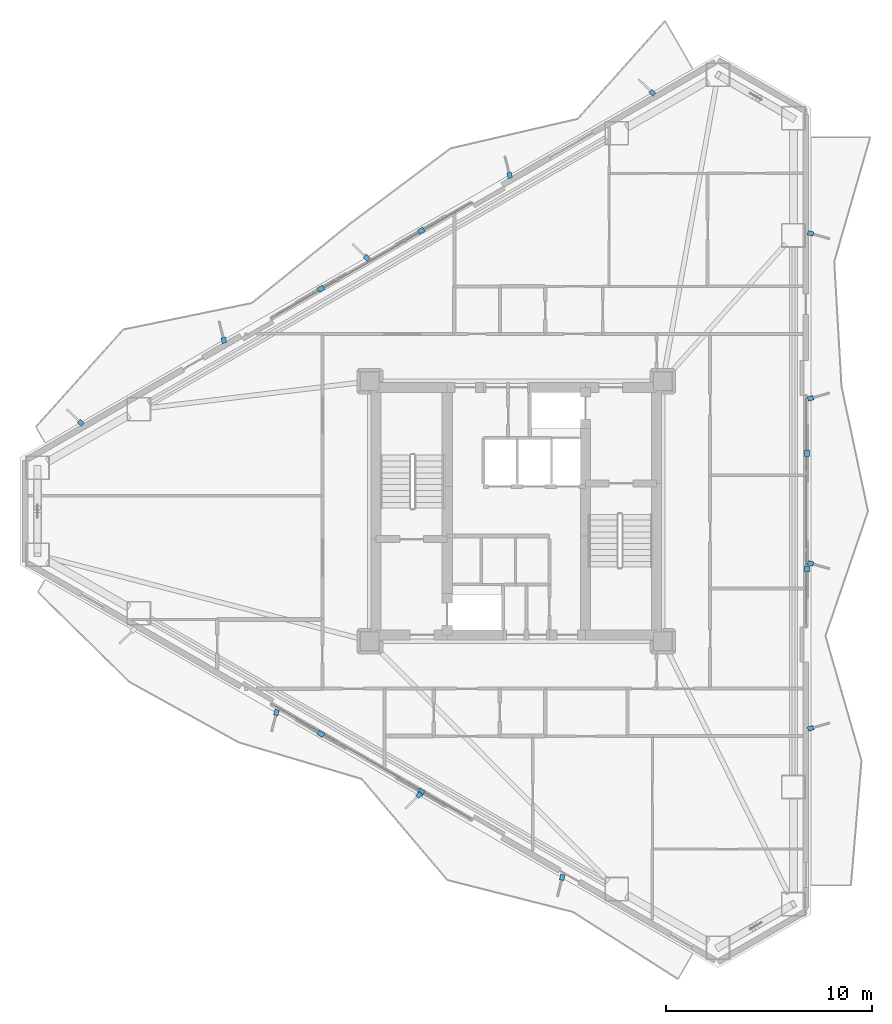
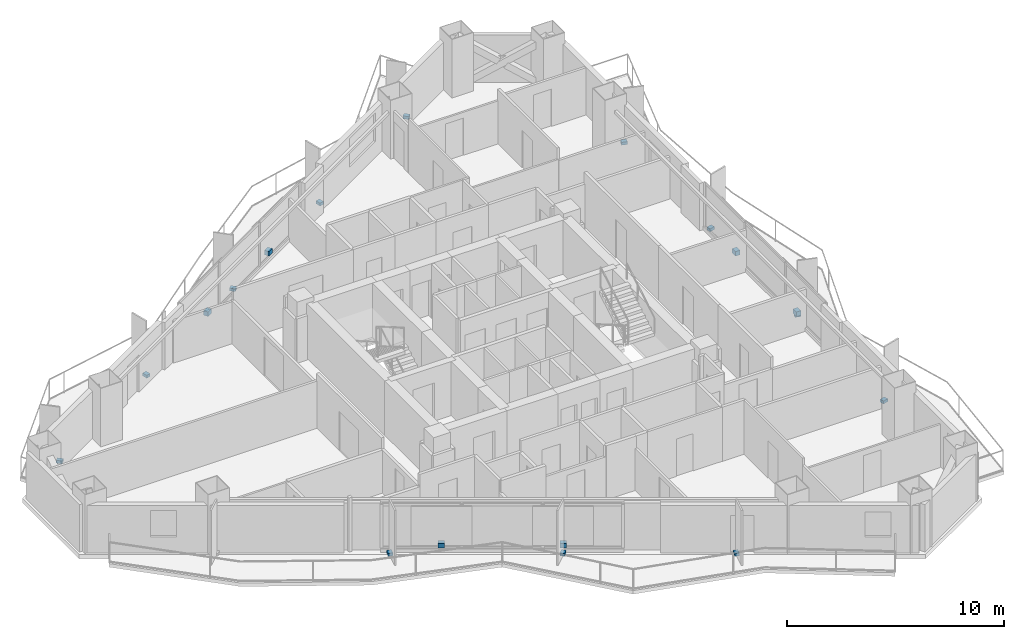
# One storey, part 20 of 22: 18 discrete accessories.
"""IFC4 building model written with IfcOpenShell, lengths in metres."""

import ifcopenshell
import ifcopenshell.guid

model = None  # the IFC model being written
_history = None  # IfcOwnerHistory: only IFC2X3 demands one
_inside = {}  # id of a spatial element -> (the spatial element, [elements in it])
_under = {}  # id of a project, library or spatial element -> (it, [spatial elements below it])
_declared = {}  # id of a project -> (the project, [libraries it declares])
_typed = {}  # id of a type object -> (the type object, [elements of that type])
_made_of = {}  # id of a material, layer set ... -> (it, [elements and type objects made of it])


def new_model(schema):
    """Start an empty IFC model of exactly this schema.

    Asked for "IFC4X3", IfcOpenShell would pick the latest addendum, in which some entities
    have other attributes; the version numbers below select the first issue.
    IFC2X3 requires an IfcOwnerHistory on every rooted entity: one is made here for all.
    """
    global model, _history
    if schema == "IFC4X3":
        model = ifcopenshell.file(schema_version=(4, 3, 0, 0))
    else:
        model = ifcopenshell.file(schema=schema)
    _inside.clear()
    _under.clear()
    _declared.clear()
    _typed.clear()
    _made_of.clear()
    _history = None
    if model.schema == "IFC2X3":
        org = make("IfcOrganization", Name="unknown")
        user = make(
            "IfcPersonAndOrganization",
            ThePerson=make("IfcPerson", FamilyName="unknown"),
            TheOrganization=org,
        )
        app = make(
            "IfcApplication",
            ApplicationDeveloper=org,
            Version="unknown",
            ApplicationFullName="unknown",
            ApplicationIdentifier="unknown",
        )
        _history = make(
            "IfcOwnerHistory",
            OwningUser=user,
            OwningApplication=app,
            ChangeAction="ADDED",
            CreationDate=0,
        )
    return model


def make(cls, **values):
    """One entity of the class cls with the attributes given. An attribute that is None is left unset."""
    return model.create_entity(
        cls, **{name: value for name, value in values.items() if value is not None}
    )


def rooted(cls, **values):
    """An entity with a GlobalId (a new one), such as an element, a storey or a relation."""
    return make(cls, GlobalId=ifcopenshell.guid.new(), OwnerHistory=_history, **values)


def si_unit(unit_type, name, prefix=None):
    """IfcSIUnit, for example si_unit("LENGTHUNIT", "METRE", prefix="MILLI")."""
    return make("IfcSIUnit", UnitType=unit_type, Prefix=prefix, Name=name)


def assignment(units):
    """IfcUnitAssignment: the units of a project."""
    return None if units is None else make("IfcUnitAssignment", Units=units)


def point(xyz):
    """IfcCartesianPoint."""
    return None if xyz is None else make("IfcCartesianPoint", Coordinates=xyz)


def direction(xyz):
    """IfcDirection."""
    return None if xyz is None else make("IfcDirection", DirectionRatios=xyz)


def frame(location, z_axis=None, x_axis=None):
    """IfcAxis2Placement3D, a coordinate frame: its origin and axes. An axis left out is left unset."""
    return make(
        "IfcAxis2Placement3D",
        Location=point(location),
        Axis=direction(z_axis),
        RefDirection=direction(x_axis),
    )


def frame_2d(location, x_axis=None):
    """IfcAxis2Placement2D, a coordinate frame in the plane: its origin and x axis."""
    return make(
        "IfcAxis2Placement2D", Location=point(location), RefDirection=direction(x_axis)
    )


def origin():
    """The frame at (0, 0, 0) with its axes left unset."""
    return frame((0.0, 0.0, 0.0))


def origin_2d():
    """The frame at (0, 0) in the plane with its x axis left unset."""
    return frame_2d((0.0, 0.0))


def place(relative_to, where):
    """IfcLocalPlacement: puts the frame where relative to a parent placement (None: the world)."""
    return make(
        "IfcLocalPlacement", PlacementRelTo=relative_to, RelativePlacement=where
    )


def context(
    kind, dimensions, precision=None, world=None, true_north=None, identifier=None
):
    """IfcGeometricRepresentationContext, for example the 3D "Model" context."""
    return make(
        "IfcGeometricRepresentationContext",
        ContextIdentifier=identifier,
        ContextType=kind,
        CoordinateSpaceDimension=dimensions,
        Precision=precision,
        WorldCoordinateSystem=world,
        TrueNorth=true_north,
    )


def subcontext(parent, identifier, kind, view, scale=None):
    """IfcGeometricRepresentationSubContext, for example "Body" below "Model"."""
    return make(
        "IfcGeometricRepresentationSubContext",
        ContextIdentifier=identifier,
        ContextType=kind,
        ParentContext=parent,
        TargetScale=scale,
        TargetView=view,
    )


def project(units=None, contexts=None):
    """IfcProject with its units and contexts."""
    return rooted(
        "IfcProject",
        Name="project",
        RepresentationContexts=contexts,
        UnitsInContext=assignment(units),
    )


def spatial(cls, under=None, at=None, **own):
    """A site, building, storey or space (cls), placed at a placement, below another one or the project."""
    s = rooted(cls, ObjectPlacement=at, **own)
    if under is not None:
        _under.setdefault(under.id(), (under, []))[1].append(s)
    return s


def profile(cls, at=None, kind="AREA", **sizes):
    """A parametric profile (cls). Its sizes go by their IFC names, for example OverallWidth=200.0."""
    return make(cls, ProfileType=kind, Position=at, **sizes)


def rectangle(**sizes):
    """IfcRectangleProfileDef."""
    return profile("IfcRectangleProfileDef", **sizes)


def extrude(swept, where, along, depth):
    """IfcExtrudedAreaSolid: the profile swept, set in the frame where, extruded along a direction by depth."""
    return make(
        "IfcExtrudedAreaSolid",
        SweptArea=swept,
        Position=where,
        ExtrudedDirection=direction(along),
        Depth=depth,
    )


def shape(context_of_items, identifier, shape_type, items):
    """IfcShapeRepresentation: the items that make up one representation, for example the "Body"."""
    return make(
        "IfcShapeRepresentation",
        ContextOfItems=context_of_items,
        RepresentationIdentifier=identifier,
        RepresentationType=shape_type,
        Items=items,
    )


def material(Name=None, Category=None):
    """IfcMaterial."""
    return make("IfcMaterial", Name=Name, Category=Category)


def layer(
    of_material, thickness, ventilated=None, Name=None, Category=None, Priority=None
):
    """IfcMaterialLayer: one layer of a wall or slab, of a material (None: an air gap)."""
    return make(
        "IfcMaterialLayer",
        Material=of_material,
        LayerThickness=thickness,
        IsVentilated=ventilated,
        Name=Name,
        Category=Category,
        Priority=Priority,
    )


def layer_set(layers, Name=None):
    """IfcMaterialLayerSet."""
    return make("IfcMaterialLayerSet", MaterialLayers=layers, LayerSetName=Name)


def made_of(thing, what):
    """Note that an element or type object is made of a material, layer set ...; save() writes the relation."""
    if what is not None:
        _made_of.setdefault(what.id(), (what, []))[1].append(thing)
    return thing


def type_object(cls, material=None, **own):
    """A type object (cls), such as IfcWallType, which elements share."""
    return made_of(rooted(cls, **own), material)


def element(
    cls,
    number,
    at=None,
    inside=None,
    cuts=None,
    type_object=None,
    material=None,
    context=None,
    identifier="Body",
    shape_type=None,
    held_by="IfcProductDefinitionShape",
    body=None,
    shapes=None,
    **own,
):
    """One element of the class cls, such as IfcWall. Its Tag is "e" and its number.

    at: its placement. inside: the storey or other place that contains it. cuts: it is an
    opening in that element (IfcRelVoidsElement). A single representation is given by context,
    identifier, shape_type and body (its items); several are given by shapes. held_by: the class
    of the entity that holds the representations. save() writes the other relations.
    """
    e = rooted(cls, Tag="e%d" % number, ObjectPlacement=at, **own)
    if body is not None:
        shapes = [shape(context, identifier, shape_type, body)]
    if shapes is not None:
        e.Representation = make(held_by, Representations=shapes)
    if inside is not None:
        _inside.setdefault(inside.id(), (inside, []))[1].append(e)
    if cuts is not None:
        rooted(
            "IfcRelVoidsElement", RelatingBuildingElement=cuts, RelatedOpeningElement=e
        )
    if type_object is not None:
        _typed.setdefault(type_object.id(), (type_object, []))[1].append(e)
    return made_of(e, material)


def aggregate(whole, parts):
    """IfcRelAggregates: a whole, such as a stair, and the parts it consists of."""
    return rooted("IfcRelAggregates", RelatingObject=whole, RelatedObjects=parts)


def save(model, path):
    """Write the relations noted so far, then the file.

    IfcRelAggregates (storeys below a building ...), IfcRelContainedInSpatialStructure (elements
    in a storey), IfcRelDefinesByType, IfcRelAssociatesMaterial and IfcRelDeclares: one each for
    every whole, place, type object, material and project.
    """
    for whole, parts in _under.values():
        aggregate(whole, parts)
    for where, things in _inside.values():
        rooted(
            "IfcRelContainedInSpatialStructure",
            RelatedElements=things,
            RelatingStructure=where,
        )
    for kind, things in _typed.values():
        rooted("IfcRelDefinesByType", RelatedObjects=things, RelatingType=kind)
    for what, things in _made_of.values():
        rooted("IfcRelAssociatesMaterial", RelatedObjects=things, RelatingMaterial=what)
    for by, libraries in _declared.values():
        rooted("IfcRelDeclares", RelatingContext=by, RelatedDefinitions=libraries)
    model.write(path)


model = new_model("IFC4")

# Units and contexts
model_context = context("Model", 3, precision=1e-05, world=origin(), true_north=direction((0.0, 1.0)))
body_context = subcontext(model_context, "Body", "Model", "MODEL_VIEW")
ifc_project = project(units=[si_unit("LENGTHUNIT", "METRE"), si_unit("AREAUNIT", "SQUARE_METRE"), si_unit("VOLUMEUNIT", "CUBIC_METRE"), si_unit("PLANEANGLEUNIT", "RADIAN"), si_unit("MASSUNIT", "GRAM", prefix="KILO")], contexts=[model_context])

# Site, building, storey
site_placement = place(None, origin())
site = spatial("IfcSite", under=ifc_project, at=site_placement, CompositionType="ELEMENT")
building_placement = place(site_placement, origin())
building = spatial("IfcBuilding", under=site, at=building_placement, Name="Mersakhor Tower and Convention Hall", CompositionType="ELEMENT")
storey_placement = place(building_placement, frame((0.0, 0.0, 86.699951171875)))
storey = spatial("IfcBuildingStorey", under=building, at=storey_placement, Name="L23", CompositionType="ELEMENT", Elevation=86.699951171875)

# Discrete accessories
ifc_material = material(Name="Galvanised steel bracket", Category="steel")
ifc_layer = layer(ifc_material, 0.02001953125)
ifc_layer_set = layer_set([ifc_layer], Name="Galvanised steel bracket")
discrete_accessory_type = type_object("IfcDiscreteAccessoryType", Name="ACC-BRK-STL", PredefinedType="BRACKET", material=ifc_layer_set)
for number, where, z_axis, x_axis, name in (
    (1, (19.5263671875, 37.5439453125, 0.2900390625), (0.0, 0.0, 1.0), (0.866025403784, 0.5, 0.0), "L23 Solar Screen Outrigger Bracket BRK-1-1"),
    (2, (24.388916015625, 40.351318359375, 0.2900390625), (0.0, 0.0, 1.0), (0.866025403784, 0.5, 0.0), "L23 Solar Screen Outrigger Bracket BRK-1-2"),
):
    element("IfcDiscreteAccessory", number, at=place(storey_placement, frame(where, z_axis=z_axis, x_axis=x_axis)), inside=storey, type_object=discrete_accessory_type, Name=name, PredefinedType="BRACKET", context=body_context, shape_type="SweptSolid", body=[
        extrude(rectangle(XDim=0.300048828125, YDim=0.239990234375, at=origin_2d()), origin(), (0.0, 0.0, 1.0), 0.260009765625),
    ])
for number, where, z_axis, x_axis, name in (
    (3, (7.89111328125, 31.0341796875, -0.02001953125), (0.0, 0.0, 1.0), (-0.719339800339, 0.694658370459, 0.0), "L23 Facade Fin Base Cleat Bracket FBRK-1-1"),
    (4, (14.8193359375, 35.0341796875, -0.02001953125), (0.0, 0.0, 1.0), (-0.2419218956, 0.970295726276, 0.0), "L23 Facade Fin Base Cleat Bracket FBRK-1-2"),
    (5, (21.74755859375, 39.0341796875, -0.02001953125), (0.0, 0.0, 1.0), (-0.719339800339, 0.694658370459, 0.0), "L23 Facade Fin Base Cleat Bracket FBRK-1-3"),
    (6, (28.67578125, 43.0341796875, -0.02001953125), (0.0, 0.0, 1.0), (-0.2419218956, 0.970295726276, 0.0), "L23 Facade Fin Base Cleat Bracket FBRK-1-4"),
    (7, (35.60400390625, 47.0341796875, -0.02001953125), (0.0, 0.0, 1.0), (-0.719339800339, 0.694658370459, 0.0), "L23 Facade Fin Base Cleat Bracket FBRK-1-5"),
):
    element("IfcDiscreteAccessory", number, at=place(storey_placement, frame(where, z_axis=z_axis, x_axis=x_axis)), inside=storey, type_object=discrete_accessory_type, Name=name, PredefinedType="BRACKET", context=body_context, shape_type="SweptSolid", body=[
        extrude(rectangle(XDim=0.280029296875, YDim=0.219970703125, at=origin_2d()), origin(), (0.0, 0.0, 1.0), 0.159912109375),
    ])
for number, where, z_axis, x_axis, name in (
    (8, (43.084716796875, 29.557373046875, 0.2900390625), (0.0, 0.0, 1.0), (0.0, -1.0, 0.0), "L23 Solar Screen Outrigger Bracket BRK-2-1"),
    (9, (43.084716796875, 23.942626953125, 0.2900390625), (0.0, 0.0, 1.0), (0.0, -1.0, 0.0), "L23 Solar Screen Outrigger Bracket BRK-2-2"),
):
    element("IfcDiscreteAccessory", number, at=place(storey_placement, frame(where, z_axis=z_axis, x_axis=x_axis)), inside=storey, type_object=discrete_accessory_type, Name=name, PredefinedType="BRACKET", context=body_context, shape_type="SweptSolid", body=[
        extrude(rectangle(XDim=0.300048828125, YDim=0.239990234375, at=origin_2d()), origin(), (0.0, 0.0, 1.0), 0.260009765625),
    ])
for number, where, z_axis, x_axis, name in (
    (10, (43.2646484375, 40.221923828125, -0.02001953125), (0.0, 0.0, 1.0), (0.961261695938, -0.275637355817, 0.0), "L23 Facade Fin Base Cleat Bracket FBRK-2-1"),
    (11, (43.2646484375, 32.221923828125, -0.02001953125), (0.0, 0.0, 1.0), (0.961261695938, 0.275637355817, 0.0), "L23 Facade Fin Base Cleat Bracket FBRK-2-2"),
    (12, (43.2646484375, 24.221923828125, -0.02001953125), (0.0, 0.0, 1.0), (0.961261695938, -0.275637355817, 0.0), "L23 Facade Fin Base Cleat Bracket FBRK-2-3"),
    (13, (43.2646484375, 16.221923828125, -0.02001953125), (0.0, 0.0, 1.0), (0.961261695938, 0.275637355817, 0.0), "L23 Facade Fin Base Cleat Bracket FBRK-2-4"),
):
    element("IfcDiscreteAccessory", number, at=place(storey_placement, frame(where, z_axis=z_axis, x_axis=x_axis)), inside=storey, type_object=discrete_accessory_type, Name=name, PredefinedType="BRACKET", context=body_context, shape_type="SweptSolid", body=[
        extrude(rectangle(XDim=0.280029296875, YDim=0.219970703125, at=origin_2d()), origin(), (0.0, 0.0, 1.0), 0.159912109375),
    ])
for number, where, z_axis, x_axis, name in (
    (14, (24.388916015625, 13.148681640625, 0.2900390625), (0.0, 0.0, 1.0), (-0.866025403784, 0.5, 0.0), "L23 Solar Screen Outrigger Bracket BRK-3-1"),
    (15, (19.526611328125, 15.9560546875, 0.2900390625), (0.0, 0.0, 1.0), (-0.866025403784, 0.5, 0.0), "L23 Solar Screen Outrigger Bracket BRK-3-2"),
):
    element("IfcDiscreteAccessory", number, at=place(storey_placement, frame(where, z_axis=z_axis, x_axis=x_axis)), inside=storey, type_object=discrete_accessory_type, Name=name, PredefinedType="BRACKET", context=body_context, shape_type="SweptSolid", body=[
        extrude(rectangle(XDim=0.300048828125, YDim=0.239990234375, at=origin_2d()), origin(), (0.0, 0.0, 1.0), 0.260009765625),
    ])
for number, where, z_axis, x_axis, name in (
    (16, (31.225341796875, 8.993896484375, -0.02001953125), (0.0, 0.0, 1.0), (-0.2419218956, -0.970295726276, 0.0), "L23 Facade Fin Base Cleat Bracket FBRK-3-1"),
    (17, (24.297119140625, 12.993896484375, -0.02001953125), (0.0, 0.0, 1.0), (-0.719339800339, -0.694658370459, 0.0), "L23 Facade Fin Base Cleat Bracket FBRK-3-2"),
    (18, (17.368896484375, 16.993896484375, -0.02001953125), (0.0, 0.0, 1.0), (-0.2419218956, -0.970295726276, 0.0), "L23 Facade Fin Base Cleat Bracket FBRK-3-3"),
):
    element("IfcDiscreteAccessory", number, at=place(storey_placement, frame(where, z_axis=z_axis, x_axis=x_axis)), inside=storey, type_object=discrete_accessory_type, Name=name, PredefinedType="BRACKET", context=body_context, shape_type="SweptSolid", body=[
        extrude(rectangle(XDim=0.280029296875, YDim=0.219970703125, at=origin_2d()), origin(), (0.0, 0.0, 1.0), 0.159912109375),
    ])

save(model, "model.ifc")
